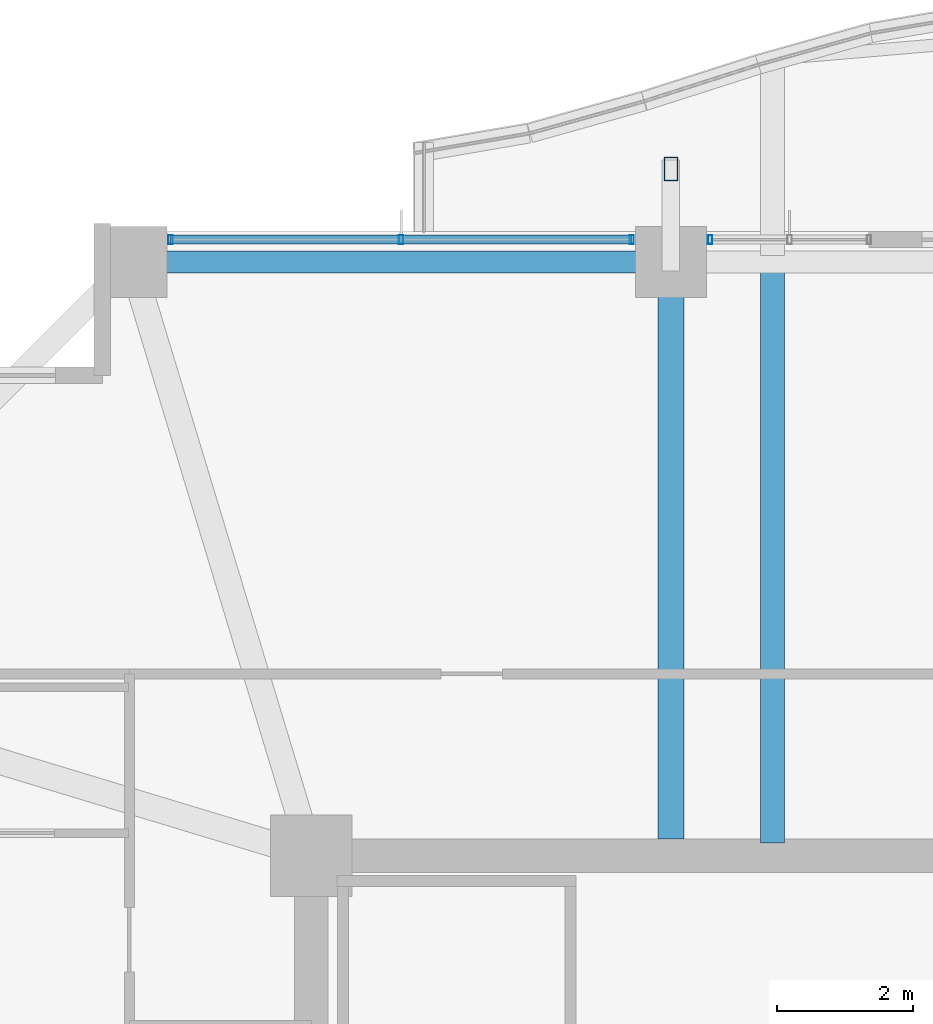
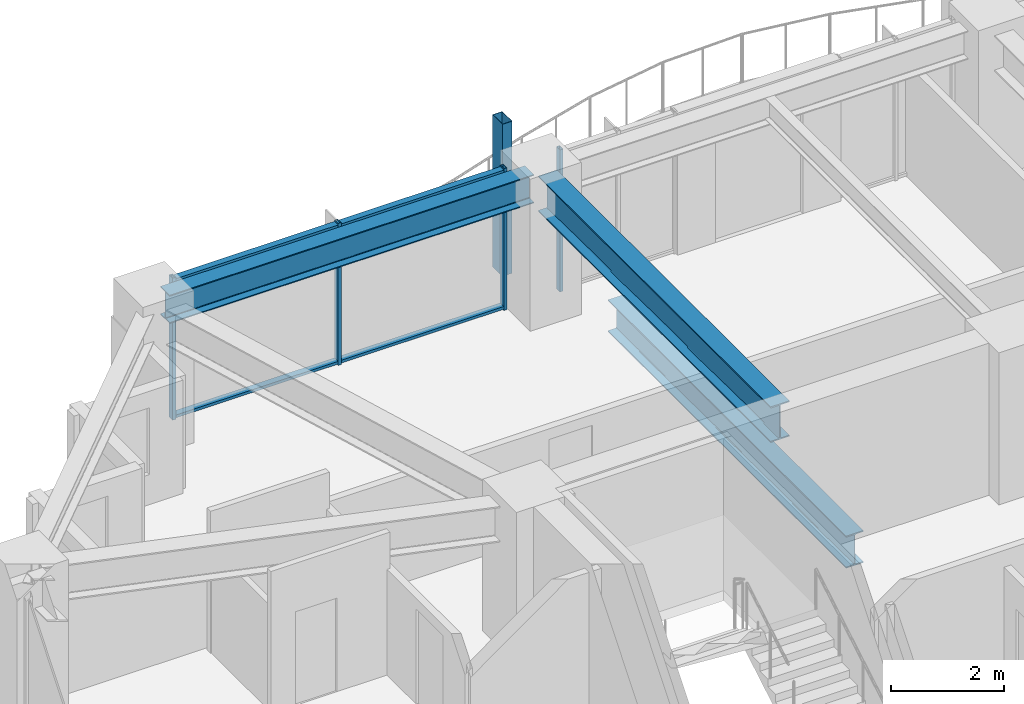
# One storey, part 15 of 31: 7 members, 3 beams, 2 elements without a shape of their own.
"""IFC4 building model written with IfcOpenShell, lengths in metres."""

from ifc_helpers import new_model, si_unit, direction, frame, origin, origin_2d, place, context, subcontext, project, spatial, hollow_rectangle, i_section, extrude, material, material_profile, profile_set, type_object, element, aggregate, save


model = new_model("IFC4")

# Units and contexts
model_context = context("Model", 3, precision=1e-05, world=origin(), true_north=direction((0.0, 1.0)))
body_context = subcontext(model_context, "Body", "Model", "MODEL_VIEW")
ifc_project = project(units=[si_unit("LENGTHUNIT", "METRE"), si_unit("AREAUNIT", "SQUARE_METRE"), si_unit("VOLUMEUNIT", "CUBIC_METRE"), si_unit("PLANEANGLEUNIT", "RADIAN"), si_unit("MASSUNIT", "GRAM", prefix="KILO")], contexts=[model_context])

# Site, building, storey
site_placement = place(None, origin())
site = spatial("IfcSite", under=ifc_project, at=site_placement, CompositionType="ELEMENT")
building_placement = place(site_placement, origin())
building = spatial("IfcBuilding", under=site, at=building_placement, Name="Kolvaren Belvedere", CompositionType="ELEMENT")
storey_placement = place(building_placement, frame((0.0, 0.0, 118.39990234375)))
storey = spatial("IfcBuildingStorey", under=building, at=storey_placement, Name="L34", CompositionType="ELEMENT", Elevation=118.39990234375)

# Beams
ifc_material_1 = material(Name="Structural steel ASTM A992 Grade 50", Category="steel")
ifc_material_profile_1 = material_profile(ifc_material_1, i_section(OverallWidth=0.35498046875, OverallDepth=0.696044921875, WebThickness=0.015380859375, FlangeThickness=0.02490234375, FilletRadius=0.02197265625, at=origin_2d()), Name="W27X146")
ifc_profile_set_1 = profile_set([ifc_material_profile_1], Name="Structural steel ASTM A992 Grade 50")
beam_type_1 = type_object("IfcBeamType", Name="BM-GIRD-W27X146", PredefinedType="BEAM", material=ifc_profile_set_1)
beam_1_placement = place(storey_placement, frame((-3.10009765625, 10.090087890625, -0.56787109375), z_axis=(0.0, 1.0, 0.0), x_axis=(-1.0, 0.0, 0.0)))
element("IfcBeam", 1, at=beam_1_placement, inside=storey, type_object=beam_type_1, Name="L34 Balcony Interior Back-Span Girder BAL-N-1", PredefinedType="BEAM", context=body_context, shape_type="SweptSolid", body=[
    extrude(i_section(OverallWidth=0.35498046875, OverallDepth=0.696044921875, WebThickness=0.015380859375, FlangeThickness=0.02490234375, FilletRadius=0.02197265625, at=origin_2d()), origin(), (0.0, 0.0, 1.0), 8.46484375),
])
ifc_material_2 = material(Name="Structural steel ASTM A992 Grade 50", Category="steel")
ifc_material_profile_2 = material_profile(ifc_material_2, i_section(OverallWidth=0.381103515625, OverallDepth=0.77294921875, WebThickness=0.0166015625, FlangeThickness=0.027099609375, FilletRadius=0.02392578125, at=origin_2d()), Name="W30X173")
ifc_profile_set_2 = profile_set([ifc_material_profile_2], Name="Structural steel ASTM A992 Grade 50")
beam_type_2 = type_object("IfcBeamType", Name="BM-GIRD-W30X173", PredefinedType="BEAM", material=ifc_profile_set_2)
beam_2_placement = place(storey_placement, frame((-4.60009765625, 10.14990234375, 2.693603515625), z_axis=(0.0, 1.0, 0.0), x_axis=(-1.0, 0.0, 0.0)))
element("IfcBeam", 2, at=beam_2_placement, inside=storey, type_object=beam_type_2, Name="L34 North Radial Girder M", PredefinedType="BEAM", context=body_context, shape_type="SweptSolid", body=[
    extrude(i_section(OverallWidth=0.381103515625, OverallDepth=0.77294921875, WebThickness=0.0166015625, FlangeThickness=0.027099609375, FilletRadius=0.02392578125, at=origin_2d()), origin(), (0.0, 0.0, 1.0), 8.263916015625),
])
ifc_material_3 = material(Name="Structural steel ASTM A992 Grade 50", Category="steel")
ifc_material_profile_3 = material_profile(ifc_material_3, i_section(OverallWidth=0.324951171875, OverallDepth=0.615966796875, WebThickness=0.013916015625, FlangeThickness=0.021484375, FilletRadius=0.02001953125, at=origin_2d()), Name="W24X117")
ifc_profile_set_3 = profile_set([ifc_material_profile_3], Name="Structural steel ASTM A992 Grade 50")
beam_type_3 = type_object("IfcBeamType", Name="BM-SPAN-W24X117", PredefinedType="SPANDREL", material=ifc_profile_set_3)
beam_3_placement = place(storey_placement, frame((-4.836181640625, 18.64990234375, 2.772216796875), z_axis=(-1.0, 0.0, 0.0), x_axis=(0.0, -1.0, 0.0)))
element("IfcBeam", 3, at=beam_3_placement, inside=storey, type_object=beam_type_3, Name="L34 Perimeter Spandrel N2-N1", PredefinedType="SPANDREL", context=body_context, shape_type="SweptSolid", body=[
    extrude(i_section(OverallWidth=0.324951171875, OverallDepth=0.615966796875, WebThickness=0.013916015625, FlangeThickness=0.021484375, FilletRadius=0.02001953125, at=origin_2d()), origin(), (0.0, 0.0, 1.0), 7.4775390625),
])

# Curtain wall, members
ifc_material_4 = material(Name="Anodised pale-metal aluminium AA 6063-T6", Category="aluminium")
curtain_wall_type = type_object("IfcCurtainWallType", Name="CW-Z3-WAIST", PredefinedType="NOTDEFINED", material=ifc_material_4)
curtain_wall_1_placement = place(storey_placement, origin())
curtain_wall_1 = element("IfcCurtainWall", 4, at=curtain_wall_1_placement, inside=storey, type_object=curtain_wall_type, Name="L34 Unitised Curtain Wall FCW-L34-N1-B1", PredefinedType="NOTDEFINED")
ifc_material_5 = material(Name="Anodised pale-metal aluminium AA 6063-T6", Category="aluminium")
ifc_material_profile_4 = material_profile(ifc_material_5, hollow_rectangle(XDim=0.06494140625, YDim=0.1298828125, WallThickness=0.00390625, at=origin_2d()), Name="ALU-MUL-130X65")
ifc_profile_set_4 = profile_set([ifc_material_profile_4], Name="Anodised pale-metal aluminium AA 6063-T6")
member_type_1 = type_object("IfcMemberType", Name="CW-MUL-130", PredefinedType="MULLION", material=ifc_profile_set_4)
member_1_placement = place(storey_placement, frame((-11.972412109375, 18.97998046875, 0.0), z_axis=(0.0, 0.0, 1.0), x_axis=(1.0, 0.0, 0.0)))
member_1 = element("IfcMember", 5, at=member_1_placement, type_object=member_type_1, Name="FCW-L34-N1-B1 Unitised Mullion 1", PredefinedType="MULLION", context=body_context, shape_type="SweptSolid", body=[
    extrude(hollow_rectangle(XDim=0.06494140625, YDim=0.1298828125, WallThickness=0.00390625, at=origin_2d()), origin(), (0.0, 0.0, 1.0), 3.080078125),
])
member_2_placement = place(storey_placement, frame((-8.574951171875, 18.97998046875, 0.0), z_axis=(0.0, 0.0, 1.0), x_axis=(1.0, 0.0, 0.0)))
member_2 = element("IfcMember", 6, at=member_2_placement, type_object=member_type_1, Name="FCW-L34-N1-B1 Unitised Mullion 2", PredefinedType="MULLION", context=body_context, shape_type="SweptSolid", body=[
    extrude(hollow_rectangle(XDim=0.06494140625, YDim=0.1298828125, WallThickness=0.00390625, at=origin_2d()), origin(), (0.0, 0.0, 1.0), 3.080078125),
])
member_3_placement = place(storey_placement, frame((-5.177490234375, 18.97998046875, 0.0), z_axis=(0.0, 0.0, 1.0), x_axis=(1.0, 0.0, 0.0)))
member_3 = element("IfcMember", 7, at=member_3_placement, type_object=member_type_1, Name="FCW-L34-N1-B1 Unitised Mullion 3", PredefinedType="MULLION", context=body_context, shape_type="SweptSolid", body=[
    extrude(hollow_rectangle(XDim=0.06494140625, YDim=0.1298828125, WallThickness=0.00390625, at=origin_2d()), origin(), (0.0, 0.0, 1.0), 3.080078125),
])

# Curtain wall, member
curtain_wall_2_placement = place(storey_placement, origin())
curtain_wall_2 = element("IfcCurtainWall", 8, at=curtain_wall_2_placement, inside=storey, type_object=curtain_wall_type, Name="L34 Unitised Curtain Wall FCW-L34-N1-B2", PredefinedType="NOTDEFINED")
member_4_placement = place(storey_placement, frame((-4.0224609375, 18.97998046875, 0.0), z_axis=(0.0, 0.0, 1.0), x_axis=(1.0, 0.0, 0.0)))
member_4 = element("IfcMember", 9, at=member_4_placement, type_object=member_type_1, Name="FCW-L34-N1-B2 Unitised Mullion 1", PredefinedType="MULLION", context=body_context, shape_type="SweptSolid", body=[
    extrude(hollow_rectangle(XDim=0.06494140625, YDim=0.1298828125, WallThickness=0.00390625, at=origin_2d()), origin(), (0.0, 0.0, 1.0), 3.080078125),
])
aggregate(curtain_wall_2, [member_4])

# Member
ifc_material_6 = material(Name="Anodised pale-metal aluminium AA 6063-T6", Category="aluminium")
ifc_material_profile_5 = material_profile(ifc_material_6, hollow_rectangle(XDim=0.06005859375, YDim=0.1298828125, WallThickness=0.00390625, at=origin_2d()), Name="ALU-TRN-130X60")
ifc_profile_set_5 = profile_set([ifc_material_profile_5], Name="Anodised pale-metal aluminium AA 6063-T6")
member_type_2 = type_object("IfcMemberType", Name="CW-TRN-130", PredefinedType="USERDEFINED", material=ifc_profile_set_5)
member_5_placement = place(storey_placement, frame((-11.972412109375, 18.97998046875, 0.06005859375), z_axis=(1.0, 0.0, 0.0), x_axis=(0.0, 0.0, 1.0)))
member_5 = element("IfcMember", 10, at=member_5_placement, type_object=member_type_2, Name="FCW-L34-N1-B1 Sill Transom", ObjectType="TRANSOM", PredefinedType="USERDEFINED", context=body_context, shape_type="SweptSolid", body=[
    extrude(hollow_rectangle(XDim=0.06005859375, YDim=0.1298828125, WallThickness=0.00390625, at=origin_2d()), origin(), (0.0, 0.0, 1.0), 6.794921875),
])

member_6_placement = place(storey_placement, frame((-11.972412109375, 18.97998046875, 3.02001953125), z_axis=(1.0, 0.0, 0.0), x_axis=(0.0, 0.0, 1.0)))
member_6 = element("IfcMember", 11, at=member_6_placement, type_object=member_type_2, Name="FCW-L34-N1-B1 Head Transom", ObjectType="TRANSOM", PredefinedType="USERDEFINED", context=body_context, shape_type="SweptSolid", body=[
    extrude(hollow_rectangle(XDim=0.06005859375, YDim=0.1298828125, WallThickness=0.00390625, at=origin_2d()), origin(), (0.0, 0.0, 1.0), 6.794921875),
])

aggregate(curtain_wall_1, [member_1, member_2, member_3, member_5, member_6])

ifc_material_7 = material(Name="Anodised pale-metal aluminium AA 6063-T6", Category="aluminium")
ifc_material_profile_6 = material_profile(ifc_material_7, hollow_rectangle(XDim=0.199951171875, YDim=0.35009765625, WallThickness=0.007568359375, at=origin_2d()), Name="ALU-PF-350X200")
ifc_profile_set_6 = profile_set([ifc_material_profile_6], Name="Anodised pale-metal aluminium AA 6063-T6")
member_type_3 = type_object("IfcMemberType", Name="PF-FRAME-350", PredefinedType="USERDEFINED", material=ifc_profile_set_6)
member_7_placement = place(storey_placement, frame((-4.60009765625, 20.02001953125, 0.0), z_axis=(0.0, 0.0, 1.0), x_axis=(1.0, 0.0, 0.0)))
element("IfcMember", 12, at=member_7_placement, inside=storey, type_object=member_type_3, Name="L34 Outboard Picture-Frame Vertical N1", ObjectType="PICTURE FRAME FIN", PredefinedType="USERDEFINED", context=body_context, shape_type="SweptSolid", body=[
    extrude(hollow_rectangle(XDim=0.199951171875, YDim=0.35009765625, WallThickness=0.007568359375, at=origin_2d()), origin(), (0.0, 0.0, 1.0), 3.300048828125),
])

save(model, "model.ifc")
